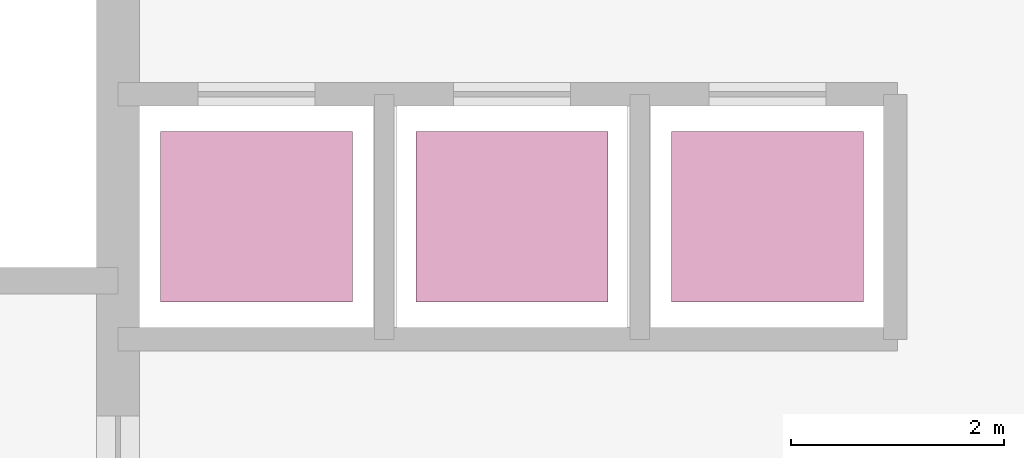
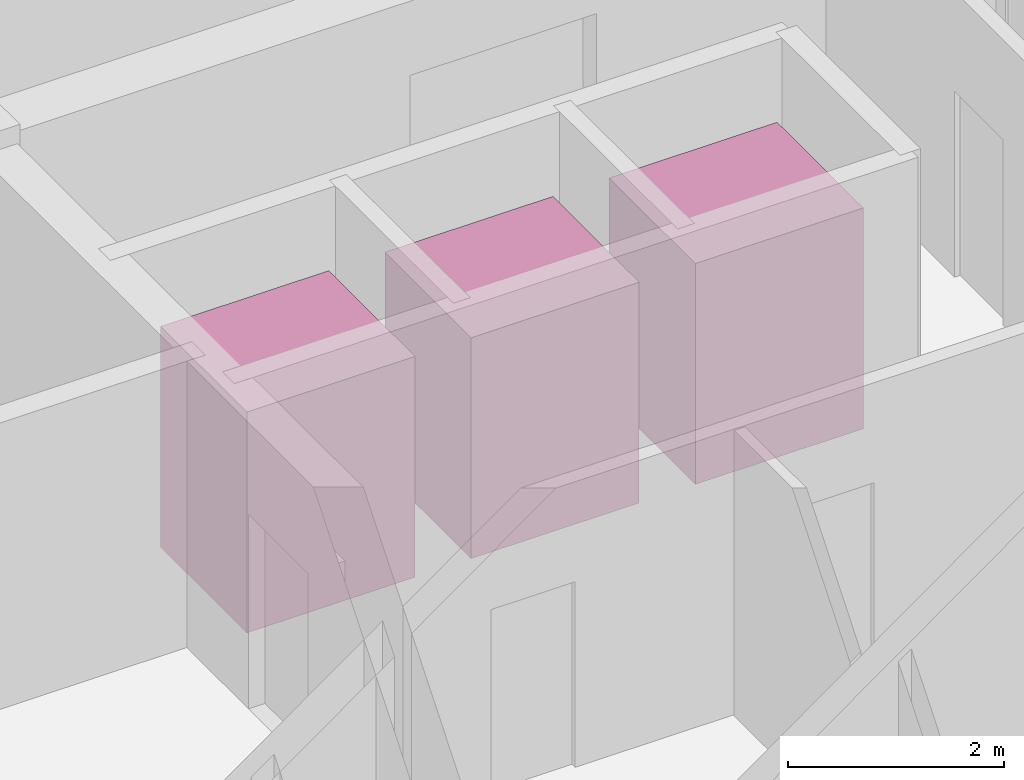
# One storey, part 14 of 14: 3 transport elements.
"""IFC4 building model written with IfcOpenShell, lengths in metres."""

from ifc_helpers import new_model, si_unit, direction, frame, origin, origin_2d, place, context, subcontext, project, spatial, rectangle, extrude, source, transform, mapped, material, type_object, type_shapes, element, save


model = new_model("IFC4")

# Units and contexts
model_context = context("Model", 3, precision=1e-05, world=origin(), true_north=direction((0.0, 1.0)))
body_context = subcontext(model_context, "Body", "Model", "MODEL_VIEW")
ifc_project = project(units=[si_unit("LENGTHUNIT", "METRE"), si_unit("AREAUNIT", "SQUARE_METRE"), si_unit("VOLUMEUNIT", "CUBIC_METRE"), si_unit("PLANEANGLEUNIT", "RADIAN"), si_unit("MASSUNIT", "GRAM", prefix="KILO")], contexts=[model_context])

# Site, building, storey
site_placement = place(None, origin())
site = spatial("IfcSite", under=ifc_project, at=site_placement, CompositionType="ELEMENT")
building_placement = place(site_placement, origin())
building = spatial("IfcBuilding", under=site, at=building_placement, Name="Varnakhor Terracotta Tower", CompositionType="ELEMENT")
storey_placement = place(building_placement, frame((0.0, 0.0, 240.699951171875)))
storey = spatial("IfcBuildingStorey", under=building, at=storey_placement, Name="L62", CompositionType="ELEMENT", Elevation=240.699951171875)

# Transport elements
ifc_material = material(Name="Stainless Steel Passenger Lift Car", Category="steel")
transport_element_type = type_object("IfcTransportElementType", Name="LIFT-PASS-BANK3", PredefinedType="ELEVATOR", material=ifc_material)
shared_shape = source(origin(), body_context, "Body", "SweptSolid", [
    extrude(rectangle(XDim=1.800048828125, YDim=1.60009765625, at=origin_2d()), origin(), (0.0, 0.0, 1.0), 2.5),
])
type_shapes(transport_element_type, [shared_shape])
for number, where, z_axis, x_axis, name in (
    (1, (-4.199951171875, 12.469970703125, 0.0), (0.0, 0.0, 1.0), (1.0, 0.0, 0.0), "Passenger Lift PL-3A"),
    (2, (-1.800048828125, 12.469970703125, 0.0), (0.0, 0.0, 1.0), (1.0, 0.0, 0.0), "Passenger Lift PL-3B"),
    (3, (0.60009765625, 12.469970703125, 0.0), (0.0, 0.0, 1.0), (1.0, 0.0, 0.0), "Passenger Lift PL-3C"),
):
    element("IfcTransportElement", number, at=place(storey_placement, frame(where, z_axis=z_axis, x_axis=x_axis)), inside=storey, type_object=transport_element_type, Name=name, PredefinedType="ELEVATOR", context=body_context, shape_type="MappedRepresentation", body=[
        mapped(shared_shape, transform((0.0, 0.0, 0.0), scale=1.0)),
    ])

save(model, "model.ifc")
